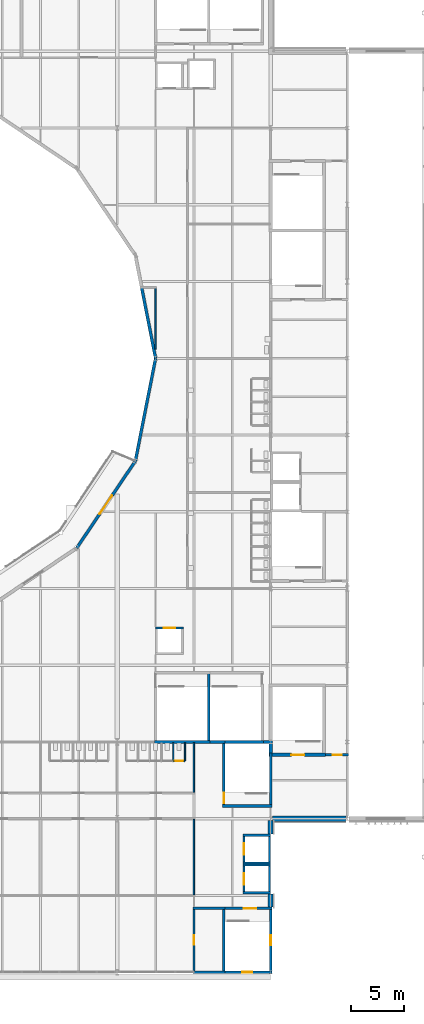
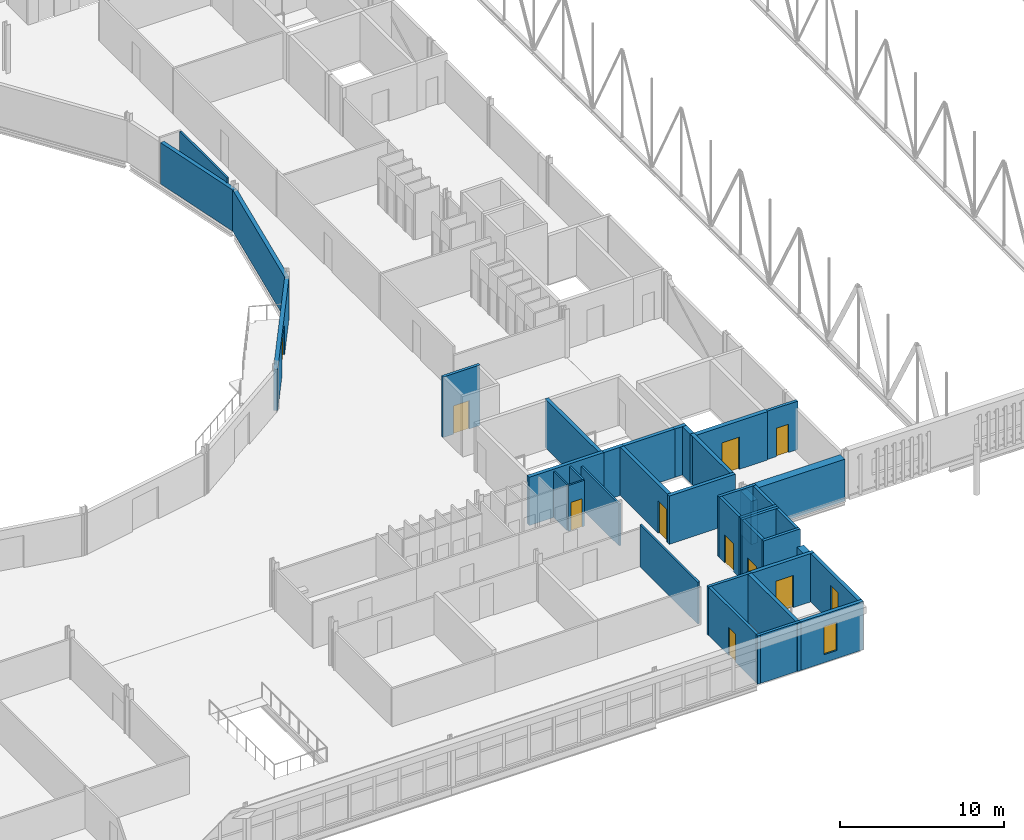
# One storey, part 91 of 142: 39 walls, 10 doors, 2 windows, 12 openings.
"""IFC4 building model written with IfcOpenShell, lengths in metres."""

from ifc_helpers import new_model, si_unit, direction, frame, frame_2d, origin, place, context, subcontext, project, spatial, rectangle, extrude, material, layer, layer_set, type_object, element, fill, save


model = new_model("IFC4")

# Units and contexts
model_context = context("Model", 3, precision=1e-05, world=origin(), true_north=direction((0.0, 1.0)))
body_context = subcontext(model_context, "Body", "Model", "MODEL_VIEW")
ifc_project = project(units=[si_unit("LENGTHUNIT", "METRE"), si_unit("AREAUNIT", "SQUARE_METRE"), si_unit("VOLUMEUNIT", "CUBIC_METRE"), si_unit("PLANEANGLEUNIT", "RADIAN"), si_unit("MASSUNIT", "GRAM", prefix="KILO")], contexts=[model_context])

# Site, building, storey
site_placement = place(None, origin())
site = spatial("IfcSite", under=ifc_project, at=site_placement, CompositionType="ELEMENT")
building_placement = place(site_placement, origin())
building = spatial("IfcBuilding", under=site, at=building_placement, Name="Kupolbacken Congress Centre", CompositionType="ELEMENT")
storey_placement = place(building_placement, frame((0.0, 0.0, 14.39990234375)))
storey = spatial("IfcBuildingStorey", under=building, at=storey_placement, Name="L04", CompositionType="ELEMENT", Elevation=14.39990234375)

# Walls
ifc_material_1 = material(Name="Concrete C40/50", Category="concrete")
ifc_layer_1 = layer(ifc_material_1, 0.1201171875)
ifc_material_2 = material(Name="Mineral wool", Category="insulation")
ifc_layer_2 = layer(ifc_material_2, 0.19189453125)
ifc_material_3 = material(Name="Air cavity", Category="air")
ifc_layer_3 = layer(ifc_material_3, 0.0400390625, ventilated=True)
ifc_material_4 = material(Name="Brick", Category="masonry")
ifc_layer_4 = layer(ifc_material_4, 0.10791015625)
ifc_layer_set_1 = layer_set([ifc_layer_1, ifc_layer_2, ifc_layer_3, ifc_layer_4], Name="Concrete C40/50 / Mineral wool / Brick")
wall_type_1 = type_object("IfcWallType", Name="EW06 external cavity wall 460", PredefinedType="SOLIDWALL", material=ifc_layer_set_1)
wall_1_placement = place(storey_placement, frame((79.199951171875, 34.925048828125, 0.0), z_axis=(0.0, 0.0, 1.0), x_axis=(0.0, 1.0, 0.0)))
element("IfcWall", 1, at=wall_1_placement, inside=storey, type_object=wall_type_1, Name="E/F/E/L04/409", PredefinedType="SOLIDWALL", context=body_context, shape_type="SweptSolid", body=[
    extrude(rectangle(XDim=1.224853515625, YDim=0.4599609375, at=frame_2d((0.6123046875, 0.0))), origin(), (0.0, 0.0, 1.0), 3.22021484375),
])
wall_2_placement = place(storey_placement, frame((79.199951171875, 41.75, 0.0), z_axis=(0.0, 0.0, 1.0), x_axis=(0.0, 1.0, 0.0)))
element("IfcWall", 2, at=wall_2_placement, inside=storey, type_object=wall_type_1, Name="E/F/E/L04/410", PredefinedType="SOLIDWALL", context=body_context, shape_type="SweptSolid", body=[
    extrude(rectangle(XDim=1.300048828125, YDim=0.4599609375, at=frame_2d((0.64990234375, 0.0))), origin(), (0.0, 0.0, 1.0), 3.22021484375),
])
ifc_layer_5 = layer(ifc_material_1, 0.199951171875)
ifc_layer_6 = layer(ifc_material_2, 0.199951171875)
ifc_layer_7 = layer(ifc_material_3, 0.0400390625, ventilated=True)
ifc_material_5 = material(Name="Limestone", Category="masonry")
ifc_layer_8 = layer(ifc_material_5, 0.1201171875)
ifc_layer_set_2 = layer_set([ifc_layer_5, ifc_layer_6, ifc_layer_7, ifc_layer_8], Name="Concrete C40/50 / Mineral wool / Limestone")
wall_type_2 = type_object("IfcWallType", Name="EW09 external cavity wall 560", PredefinedType="SOLIDWALL", material=ifc_layer_set_2)
wall_3_placement = place(storey_placement, frame((79.35009765625, 43.199951171875, 0.0), z_axis=(0.0, 0.0, 1.0), x_axis=(1.0, 0.0, 0.0)))
element("IfcWall", 3, at=wall_3_placement, inside=storey, type_object=wall_type_2, Name="E/LINK/S/L04/441", PredefinedType="SOLIDWALL", context=body_context, shape_type="SweptSolid", body=[
    extrude(rectangle(XDim=6.89990234375, YDim=0.56005859375, at=frame_2d((3.449951171875, 0.0))), origin(), (0.0, 0.0, 1.0), 3.1201171875),
])

# Wall, opening, door
ifc_material_6 = material(Name="Gypsum board", Category="drywall")
ifc_layer_9 = layer(ifc_material_6, 0.114990234375)
ifc_layer_set_3 = layer_set([ifc_layer_9], Name="Gypsum board")
wall_type_3 = type_object("IfcWallType", Name="P04 partition 115", PredefinedType="PARTITIONING", material=ifc_layer_set_3)
wall_4_placement = place(storey_placement, frame((70.050048828125, 48.60009765625, 0.0), z_axis=(0.0, 0.0, 1.0), x_axis=(1.0, 0.0, 0.0)))
wall_4 = element("IfcWall", 4, at=wall_4_placement, inside=storey, type_object=wall_type_3, Name="PD/L04/F-WC-03/cub05/F", PredefinedType="PARTITIONING", context=body_context, shape_type="SweptSolid", body=[
    extrude(rectangle(XDim=1.099853515625, YDim=0.114990234375, at=frame_2d((0.5498046875, 0.0))), origin(), (0.0, 0.0, 1.0), 3.420166015625),
])
opening_1_placement = place(wall_4_placement, frame((0.14990234375, 0.0, 0.0)))
opening_1 = element("IfcOpeningElement", 5, at=opening_1_placement, cuts=wall_4, Name="Opening 4.WF104", PredefinedType="OPENING", context=body_context, shape_type="SweptSolid", body=[
    extrude(rectangle(XDim=0.800048828125, YDim=2.10009765625, at=frame_2d((0.39990234375, 1.050048828125))), frame((0.0, 0.0673828125, 0.0), z_axis=(0.0, -1.0, 0.0), x_axis=(1.0, 0.0, 0.0)), (0.0, 0.0, 1.0), 0.135009765625),
])
ifc_material_7 = material(Name="Timber door leaf", Category="wood")
door_type_1 = type_object("IfcDoorType", Name="D2 door 800x2100", OperationType="SINGLE_SWING_LEFT", PredefinedType="DOOR", material=ifc_material_7)
door_1_placement = place(opening_1_placement, origin())
door_1 = element("IfcDoor", 6, at=door_1_placement, inside=storey, type_object=door_type_1, Name="PD/L04/F-WC-03/cub05/F/DC", OperationType="SINGLE_SWING_LEFT", OverallHeight=2.10009765625, OverallWidth=0.800048828125, PredefinedType="DOOR", context=body_context, shape_type="SweptSolid", body=[
    extrude(rectangle(XDim=0.800048828125, YDim=2.10009765625, at=frame_2d((0.39990234375, 1.050048828125))), frame((0.0, 0.02490234375, 0.0), z_axis=(0.0, -1.0, 0.0), x_axis=(1.0, 0.0, 0.0)), (0.0, 0.0, 1.0), 0.050048828125),
])
fill(opening_1, door_1)

# Walls
for number, where, z_axis, x_axis, name in (
    (7, (70.050048828125, 50.342529296875, 0.0), (0.0, 0.0, 1.0), (0.0, -1.0, 0.0), "PD/L04/F-WC-03/cub05/a"),
    (8, (71.14990234375, 50.342529296875, 0.0), (0.0, 0.0, 1.0), (0.0, -1.0, 0.0), "PD/L04/F-WC-03/cub05/b"),
):
    element("IfcWall", number, at=place(storey_placement, frame(where, z_axis=z_axis, x_axis=x_axis)), inside=storey, type_object=wall_type_3, Name=name, PredefinedType="PARTITIONING", context=body_context, shape_type="SweptSolid", body=[
        extrude(rectangle(XDim=1.68505859375, YDim=0.114990234375, at=frame_2d((0.842529296875, 0.0))), origin(), (0.0, 0.0, 1.0), 3.420166015625),
    ])
ifc_material_8 = material(Name="Gypsum board", Category="drywall")
ifc_layer_10 = layer(ifc_material_8, 0.135009765625)
ifc_layer_set_4 = layer_set([ifc_layer_10], Name="Gypsum board")
wall_type_4 = type_object("IfcWallType", Name="P06 compartment wall 135", PredefinedType="PARTITIONING", material=ifc_layer_set_4)
wall_5_placement = place(storey_placement, frame((72.0, 36.0673828125, 0.0), z_axis=(0.0, 0.0, 1.0), x_axis=(0.0, 1.0, 0.0)))
element("IfcWall", 9, at=wall_5_placement, inside=storey, type_object=wall_type_4, Name="PD/L04/W003", PredefinedType="PARTITIONING", context=body_context, shape_type="SweptSolid", body=[
    extrude(rectangle(XDim=7.065185546875, YDim=0.135009765625, at=frame_2d((3.53271484375, 0.0))), origin(), (0.0, 0.0, 1.0), 3.1201171875),
])
wall_6_placement = place(storey_placement, frame((72.0, 45.66748046875, 0.0), z_axis=(0.0, 0.0, 1.0), x_axis=(0.0, 1.0, 0.0)))
element("IfcWall", 10, at=wall_6_placement, inside=storey, type_object=wall_type_4, Name="PD/L04/W004", PredefinedType="PARTITIONING", context=body_context, shape_type="SweptSolid", body=[
    extrude(rectangle(XDim=4.672607421875, YDim=0.135009765625, at=frame_2d((2.33642578125, 0.0))), origin(), (0.0, 0.0, 1.0), 3.1201171875),
])
wall_7_placement = place(storey_placement, frame((68.39990234375, 87.25, 0.0), z_axis=(0.0, 0.0, 1.0), x_axis=(0.0, 1.0, 0.0)))
element("IfcWall", 11, at=wall_7_placement, inside=storey, type_object=wall_type_4, Name="PD/L04/W075", PredefinedType="PARTITIONING", context=body_context, shape_type="SweptSolid", body=[
    extrude(rectangle(XDim=5.732421875, YDim=0.135009765625, at=frame_2d((2.8662109375, 0.0))), origin(), (0.0, 0.0, 1.0), 3.420166015625),
])

# Wall, opening, door
ifc_material_9 = material(Name="Gypsum board", Category="drywall")
ifc_layer_11 = layer(ifc_material_9, 0.27490234375)
ifc_layer_set_5 = layer_set([ifc_layer_11], Name="Gypsum board")
wall_type_5 = type_object("IfcWallType", Name="P12 partition 275", PredefinedType="PARTITIONING", material=ifc_layer_set_5)
wall_8_placement = place(storey_placement, frame((61.0, 68.60009765625, 0.0), z_axis=(0.0, 0.0, 1.0), x_axis=(0.559390118145, 0.828904515443, 0.0)))
wall_8 = element("IfcWall", 12, at=wall_8_placement, inside=storey, type_object=wall_type_5, Name="PD/L04/W082", PredefinedType="PARTITIONING", context=body_context, shape_type="SweptSolid", body=[
    extrude(rectangle(XDim=9.83203125, YDim=0.27490234375, at=frame_2d((4.916015625, 0.0))), origin(), (0.0, 0.0, 1.0), 3.070068359375),
])
opening_2_placement = place(wall_8_placement, frame((3.85009765625, 0.0, 0.0)))
opening_2 = element("IfcOpeningElement", 13, at=opening_2_placement, cuts=wall_8, Name="Opening 4.P26", PredefinedType="OPENING", context=body_context, shape_type="SweptSolid", body=[
    extrude(rectangle(XDim=2.10009765625, YDim=2.39990234375, at=frame_2d((1.050048828125, 1.199951171875))), frame((0.0, 0.1474609375, 0.0), z_axis=(0.0, -1.0, 0.0), x_axis=(1.0, 0.0, 0.0)), (0.0, 0.0, 1.0), 0.294921875),
])
ifc_material_10 = material(Name="Steel fire door leaf", Category="steel")
door_type_2 = type_object("IfcDoorType", Name="D17 fire door 2100x2400", OperationType="DOUBLE_DOOR_SINGLE_SWING", PredefinedType="DOOR", material=ifc_material_10)
door_2_placement = place(opening_2_placement, frame((2.10009765625, 0.0, 0.0), z_axis=(0.0, 0.0, 1.0), x_axis=(-1.0, 0.0, 0.0)))
door_2 = element("IfcDoor", 14, at=door_2_placement, inside=storey, type_object=door_type_2, Name="PD/L04/W082/D4P26", OperationType="DOUBLE_DOOR_SINGLE_SWING", OverallHeight=2.39990234375, OverallWidth=2.10009765625, PredefinedType="DOOR", context=body_context, shape_type="SweptSolid", body=[
    extrude(rectangle(XDim=2.10009765625, YDim=2.39990234375, at=frame_2d((1.050048828125, 1.199951171875))), frame((0.0, 0.02490234375, 0.0), z_axis=(0.0, -1.0, 0.0), x_axis=(1.0, 0.0, 0.0)), (0.0, 0.0, 1.0), 0.050048828125),
])
fill(opening_2, door_2)

# Walls
wall_9_placement = place(storey_placement, frame((66.5, 76.75, 0.0), z_axis=(0.0, 0.0, 1.0), x_axis=(0.193174651092, 0.981164386928, 0.0)))
element("IfcWall", 15, at=wall_9_placement, inside=storey, type_object=wall_type_5, Name="PD/L04/W083", PredefinedType="PARTITIONING", context=body_context, shape_type="SweptSolid", body=[
    extrude(rectangle(XDim=9.835205078125, YDim=0.27490234375, at=frame_2d((4.91748046875, 0.0))), origin(), (0.0, 0.0, 1.0), 3.070068359375),
])
wall_10_placement = place(storey_placement, frame((68.39990234375, 86.39990234375, 0.0), z_axis=(0.0, 0.0, 1.0), x_axis=(-0.193155650747, 0.981168127583, 0.0)))
element("IfcWall", 16, at=wall_10_placement, inside=storey, type_object=wall_type_5, Name="PD/L04/W098", PredefinedType="PARTITIONING", context=body_context, shape_type="SweptSolid", body=[
    extrude(rectangle(XDim=6.71044921875, YDim=0.27490234375, at=frame_2d((3.355224609375, 0.0))), origin(), (0.0, 0.0, 1.0), 3.070068359375),
])
ifc_material_11 = material(Name="Concrete C40/50", Category="concrete")
ifc_layer_12 = layer(ifc_material_11, 0.199951171875)
ifc_layer_set_6 = layer_set([ifc_layer_12], Name="Concrete C40/50")
wall_type_6 = type_object("IfcWallType", Name="WC1 RC shaft wall 200", PredefinedType="SHEAR", material=ifc_layer_set_6)
wall_11_placement = place(storey_placement, frame((71.89990234375, 28.800048828125, 0.0), z_axis=(0.0, 0.0, 1.0), x_axis=(1.0, 0.0, 0.0)))
element("IfcWall", 17, at=wall_11_placement, inside=storey, type_object=wall_type_6, Name="Shaft wall L04-004", PredefinedType="SHEAR", context=body_context, shape_type="SweptSolid", body=[
    extrude(rectangle(XDim=3.025146484375, YDim=0.199951171875, at=frame_2d((1.5126953125, 0.0))), origin(), (0.0, 0.0, 1.0), 3.60009765625),
])

# Wall, opening, door
wall_12_placement = place(storey_placement, frame((72.0, 34.89990234375, 0.0), z_axis=(0.0, 0.0, 1.0), x_axis=(0.0, -1.0, 0.0)))
wall_12 = element("IfcWall", 18, at=wall_12_placement, inside=storey, type_object=wall_type_6, Name="Shaft wall L04-010", PredefinedType="SHEAR", context=body_context, shape_type="SweptSolid", body=[
    extrude(rectangle(XDim=6.199951171875, YDim=0.199951171875, at=frame_2d((3.10009765625, 0.0))), origin(), (0.0, 0.0, 1.0), 3.60009765625),
])
opening_3_placement = place(wall_12_placement, frame((2.64990234375, 0.0, 0.0)))
opening_3 = element("IfcOpeningElement", 19, at=opening_3_placement, cuts=wall_12, Name="Opening 4.F06", PredefinedType="OPENING", context=body_context, shape_type="SweptSolid", body=[
    extrude(rectangle(XDim=0.85009765625, YDim=2.10009765625, at=frame_2d((0.425048828125, 1.050048828125))), frame((0.0, 0.10986328125, 0.0), z_axis=(0.0, -1.0, 0.0), x_axis=(1.0, 0.0, 0.0)), (0.0, 0.0, 1.0), 0.219970703125),
])
ifc_material_12 = material(Name="Steel fire door leaf", Category="steel")
door_type_3 = type_object("IfcDoorType", Name="D3 fire door 850x2100", OperationType="SINGLE_SWING_LEFT", PredefinedType="DOOR", material=ifc_material_12)
door_3_placement = place(opening_3_placement, origin())
door_3 = element("IfcDoor", 20, at=door_3_placement, inside=storey, type_object=door_type_3, Name="S/core/L04/010/D4F06", OperationType="SINGLE_SWING_RIGHT", OverallHeight=2.10009765625, OverallWidth=0.85009765625, PredefinedType="DOOR", context=body_context, shape_type="SweptSolid", body=[
    extrude(rectangle(XDim=0.85009765625, YDim=2.10009765625, at=frame_2d((0.425048828125, 1.050048828125))), frame((0.0, 0.02490234375, 0.0), z_axis=(0.0, -1.0, 0.0), x_axis=(1.0, 0.0, 0.0)), (0.0, 0.0, 1.0), 0.050048828125),
])
fill(opening_3, door_3)

# Wall
wall_13_placement = place(storey_placement, frame((74.925048828125, 34.800048828125, 0.0), z_axis=(0.0, 0.0, 1.0), x_axis=(-1.0, 0.0, 0.0)))
element("IfcWall", 21, at=wall_13_placement, inside=storey, type_object=wall_type_6, Name="Shaft wall L04-012", PredefinedType="SHEAR", context=body_context, shape_type="SweptSolid", body=[
    extrude(rectangle(XDim=3.025146484375, YDim=0.199951171875, at=frame_2d((1.5126953125, 0.0))), origin(), (0.0, 0.0, 1.0), 3.60009765625),
])

# Wall, opening, door
wall_14_placement = place(storey_placement, frame((84.35009765625, 49.199951171875, 0.0), z_axis=(0.0, 0.0, 1.0), x_axis=(1.0, 0.0, 0.0)))
wall_14 = element("IfcWall", 22, at=wall_14_placement, inside=storey, type_object=wall_type_6, Name="Shaft wall L04-020", PredefinedType="SHEAR", context=body_context, shape_type="SweptSolid", body=[
    extrude(rectangle(XDim=2.14990234375, YDim=0.199951171875, at=frame_2d((1.074951171875, 0.0))), origin(), (0.0, 0.0, 1.0), 3.60009765625),
])
opening_4_placement = place(wall_14_placement, frame((0.64990234375, 0.0, 0.0)))
opening_4 = element("IfcOpeningElement", 23, at=opening_4_placement, cuts=wall_14, Name="Opening 4.L05", PredefinedType="OPENING", context=body_context, shape_type="SweptSolid", body=[
    extrude(rectangle(XDim=0.85009765625, YDim=2.10009765625, at=frame_2d((0.425048828125, 1.050048828125))), frame((0.0, 0.10986328125, 0.0), z_axis=(0.0, -1.0, 0.0), x_axis=(1.0, 0.0, 0.0)), (0.0, 0.0, 1.0), 0.219970703125),
])
door_4_placement = place(opening_4_placement, origin())
door_4 = element("IfcDoor", 24, at=door_4_placement, inside=storey, type_object=door_type_3, Name="S/core/L04/020/D4L05", OperationType="SINGLE_SWING_LEFT", OverallHeight=2.10009765625, OverallWidth=0.85009765625, PredefinedType="DOOR", context=body_context, shape_type="SweptSolid", body=[
    extrude(rectangle(XDim=0.85009765625, YDim=2.10009765625, at=frame_2d((0.425048828125, 1.050048828125))), frame((0.0, 0.02490234375, 0.0), z_axis=(0.0, -1.0, 0.0), x_axis=(1.0, 0.0, 0.0)), (0.0, 0.0, 1.0), 0.050048828125),
])
fill(opening_4, door_4)

# Walls
for number, where, z_axis, x_axis, name in (
    (25, (76.60009765625, 36.25, 0.0), (0.0, 0.0, 1.0), (1.0, 0.0, 0.0), "Shaft wall LP3"),
    (26, (76.60009765625, 38.85009765625, 0.0), (0.0, 0.0, 1.0), (1.0, 0.0, 0.0), "Shaft wall LP3"),
):
    element("IfcWall", number, at=place(storey_placement, frame(where, z_axis=z_axis, x_axis=x_axis)), inside=storey, type_object=wall_type_6, Name=name, PredefinedType="SHEAR", context=body_context, shape_type="SweptSolid", body=[
        extrude(rectangle(XDim=2.599853515625, YDim=0.199951171875, at=frame_2d((1.2998046875, 0.0))), origin(), (0.0, 0.0, 1.0), 4.5),
    ])

# Wall, opening, door
wall_15_placement = place(storey_placement, frame((76.699951171875, 36.35009765625, 0.0), z_axis=(0.0, 0.0, 1.0), x_axis=(0.0, 1.0, 0.0)))
wall_15 = element("IfcWall", 27, at=wall_15_placement, inside=storey, type_object=wall_type_6, Name="Shaft wall LP3", PredefinedType="SHEAR", context=body_context, shape_type="SweptSolid", body=[
    extrude(rectangle(XDim=2.39990234375, YDim=0.199951171875, at=frame_2d((1.199951171875, 0.0))), origin(), (0.0, 0.0, 1.0), 4.5),
])
opening_5_placement = place(wall_15_placement, frame((0.64990234375, 0.0, 0.0)))
opening_5 = element("IfcOpeningElement", 28, at=opening_5_placement, cuts=wall_15, Name="Opening LD2", PredefinedType="OPENING", context=body_context, shape_type="SweptSolid", body=[
    extrude(rectangle(XDim=1.10009765625, YDim=2.10009765625, at=frame_2d((0.550048828125, 1.050048828125))), frame((0.0, 0.10986328125, 0.0), z_axis=(0.0, -1.0, 0.0), x_axis=(1.0, 0.0, 0.0)), (0.0, 0.0, 1.0), 0.219970703125),
])
ifc_material_13 = material(Name="Stainless steel door leaf", Category="steel")
door_type_4 = type_object("IfcDoorType", Name="LD2 lift landing door 1100x2100", OperationType="SLIDING_TO_LEFT", PredefinedType="DOOR", material=ifc_material_13)
door_5_placement = place(opening_5_placement, origin())
door_5 = element("IfcDoor", 29, at=door_5_placement, inside=storey, type_object=door_type_4, Name="Lift landing door LP3", OperationType="SLIDING_TO_LEFT", OverallHeight=2.10009765625, OverallWidth=1.10009765625, PredefinedType="DOOR", context=body_context, shape_type="SweptSolid", body=[
    extrude(rectangle(XDim=1.10009765625, YDim=2.10009765625, at=frame_2d((0.550048828125, 1.050048828125))), frame((0.0, 0.02490234375, 0.0), z_axis=(0.0, -1.0, 0.0), x_axis=(1.0, 0.0, 0.0)), (0.0, 0.0, 1.0), 0.050048828125),
])
fill(opening_5, door_5)

# Walls
wall_16_placement = place(storey_placement, frame((79.10009765625, 36.35009765625, 0.0), z_axis=(0.0, 0.0, 1.0), x_axis=(0.0, 1.0, 0.0)))
element("IfcWall", 30, at=wall_16_placement, inside=storey, type_object=wall_type_6, Name="Shaft wall LP3", PredefinedType="SHEAR", context=body_context, shape_type="SweptSolid", body=[
    extrude(rectangle(XDim=2.39990234375, YDim=0.199951171875, at=frame_2d((1.199951171875, 0.0))), origin(), (0.0, 0.0, 1.0), 4.5),
])
for number, where, z_axis, x_axis, name in (
    (31, (76.60009765625, 39.050048828125, 0.0), (0.0, 0.0, 1.0), (1.0, 0.0, 0.0), "Shaft wall LP4"),
    (32, (76.60009765625, 41.64990234375, 0.0), (0.0, 0.0, 1.0), (1.0, 0.0, 0.0), "Shaft wall LP4"),
):
    element("IfcWall", number, at=place(storey_placement, frame(where, z_axis=z_axis, x_axis=x_axis)), inside=storey, type_object=wall_type_6, Name=name, PredefinedType="SHEAR", context=body_context, shape_type="SweptSolid", body=[
        extrude(rectangle(XDim=2.599853515625, YDim=0.199951171875, at=frame_2d((1.2998046875, 0.0))), origin(), (0.0, 0.0, 1.0), 4.5),
    ])

# Wall, opening, door
wall_17_placement = place(storey_placement, frame((76.699951171875, 39.14990234375, 0.0), z_axis=(0.0, 0.0, 1.0), x_axis=(0.0, 1.0, 0.0)))
wall_17 = element("IfcWall", 33, at=wall_17_placement, inside=storey, type_object=wall_type_6, Name="Shaft wall LP4", PredefinedType="SHEAR", context=body_context, shape_type="SweptSolid", body=[
    extrude(rectangle(XDim=2.400146484375, YDim=0.199951171875, at=frame_2d((1.2001953125, 0.0))), origin(), (0.0, 0.0, 1.0), 4.5),
])
opening_6_placement = place(wall_17_placement, frame((0.64990234375, 0.0, 0.0)))
opening_6 = element("IfcOpeningElement", 34, at=opening_6_placement, cuts=wall_17, Name="Opening LD2", PredefinedType="OPENING", context=body_context, shape_type="SweptSolid", body=[
    extrude(rectangle(XDim=1.10009765625, YDim=2.10009765625, at=frame_2d((0.550048828125, 1.050048828125))), frame((0.0, 0.10986328125, 0.0), z_axis=(0.0, -1.0, 0.0), x_axis=(1.0, 0.0, 0.0)), (0.0, 0.0, 1.0), 0.219970703125),
])
door_6_placement = place(opening_6_placement, origin())
door_6 = element("IfcDoor", 35, at=door_6_placement, inside=storey, type_object=door_type_4, Name="Lift landing door LP4", OperationType="SLIDING_TO_LEFT", OverallHeight=2.10009765625, OverallWidth=1.10009765625, PredefinedType="DOOR", context=body_context, shape_type="SweptSolid", body=[
    extrude(rectangle(XDim=1.10009765625, YDim=2.10009765625, at=frame_2d((0.550048828125, 1.050048828125))), frame((0.0, 0.02490234375, 0.0), z_axis=(0.0, -1.0, 0.0), x_axis=(1.0, 0.0, 0.0)), (0.0, 0.0, 1.0), 0.050048828125),
])
fill(opening_6, door_6)

# Wall
wall_18_placement = place(storey_placement, frame((79.10009765625, 39.14990234375, 0.0), z_axis=(0.0, 0.0, 1.0), x_axis=(0.0, 1.0, 0.0)))
element("IfcWall", 36, at=wall_18_placement, inside=storey, type_object=wall_type_6, Name="Shaft wall LP4", PredefinedType="SHEAR", context=body_context, shape_type="SweptSolid", body=[
    extrude(rectangle(XDim=2.400146484375, YDim=0.199951171875, at=frame_2d((1.2001953125, 0.0))), origin(), (0.0, 0.0, 1.0), 4.5),
])

# Wall, opening, door
wall_19_placement = place(storey_placement, frame((68.39990234375, 61.10009765625, 0.0), z_axis=(0.0, 0.0, 1.0), x_axis=(1.0, 0.0, 0.0)))
wall_19 = element("IfcWall", 37, at=wall_19_placement, inside=storey, type_object=wall_type_6, Name="Shaft wall LP6", PredefinedType="SHEAR", context=body_context, shape_type="SweptSolid", body=[
    extrude(rectangle(XDim=2.60009765625, YDim=0.199951171875, at=frame_2d((1.300048828125, 0.0))), origin(), (0.0, 0.0, 1.0), 4.5),
])
opening_7_placement = place(wall_19_placement, frame((0.75, 0.0, 0.0)))
opening_7 = element("IfcOpeningElement", 38, at=opening_7_placement, cuts=wall_19, Name="Opening LD2", PredefinedType="OPENING", context=body_context, shape_type="SweptSolid", body=[
    extrude(rectangle(XDim=1.10009765625, YDim=2.10009765625, at=frame_2d((0.550048828125, 1.050048828125))), frame((0.0, 0.10986328125, 0.0), z_axis=(0.0, -1.0, 0.0), x_axis=(1.0, 0.0, 0.0)), (0.0, 0.0, 1.0), 0.219970703125),
])
door_7_placement = place(opening_7_placement, origin())
door_7 = element("IfcDoor", 39, at=door_7_placement, inside=storey, type_object=door_type_4, Name="Lift landing door LP6", OperationType="SLIDING_TO_LEFT", OverallHeight=2.10009765625, OverallWidth=1.10009765625, PredefinedType="DOOR", context=body_context, shape_type="SweptSolid", body=[
    extrude(rectangle(XDim=1.10009765625, YDim=2.10009765625, at=frame_2d((0.550048828125, 1.050048828125))), frame((0.0, 0.02490234375, 0.0), z_axis=(0.0, -1.0, 0.0), x_axis=(1.0, 0.0, 0.0)), (0.0, 0.0, 1.0), 0.050048828125),
])
fill(opening_7, door_7)

# Wall, opening, window
ifc_material_14 = material(Name="Concrete C40/50", Category="concrete")
ifc_layer_13 = layer(ifc_material_14, 0.25)
ifc_layer_set_7 = layer_set([ifc_layer_13], Name="Concrete C40/50")
wall_type_7 = type_object("IfcWallType", Name="WC2 RC stair enclosure wall 250", PredefinedType="SHEAR", material=ifc_layer_set_7)
wall_20_placement = place(storey_placement, frame((74.925048828125, 28.800048828125, 0.0), z_axis=(0.0, 0.0, 1.0), x_axis=(1.0, 0.0, 0.0)))
wall_20 = element("IfcWall", 40, at=wall_20_placement, inside=storey, type_object=wall_type_7, Name="Stair enclosure wall L04-005", PredefinedType="SHEAR", context=body_context, shape_type="SweptSolid", body=[
    extrude(rectangle(XDim=4.39990234375, YDim=0.25, at=frame_2d((2.199951171875, 0.0))), origin(), (0.0, 0.0, 1.0), 3.60009765625),
])
opening_8_placement = place(wall_20_placement, frame((1.625, 0.0, 0.60009765625)))
opening_8 = element("IfcOpeningElement", 41, at=opening_8_placement, cuts=wall_20, Name="Opening W28", PredefinedType="OPENING", context=body_context, shape_type="SweptSolid", body=[
    extrude(rectangle(XDim=0.89990234375, YDim=2.10009765625, at=frame_2d((0.449951171875, 1.050048828125))), frame((0.0, 0.135009765625, 0.0), z_axis=(0.0, -1.0, 0.0), x_axis=(1.0, 0.0, 0.0)), (0.0, 0.0, 1.0), 0.27001953125),
])
ifc_material_15 = material(Name="Aluminium frame with double or triple glazing", Category="aluminium")
window_type = type_object("IfcWindowType", Name="W28 window 900x2100", PartitioningType="SINGLE_PANEL", PredefinedType="WINDOW", material=ifc_material_15)
window_1_placement = place(opening_8_placement, origin())
window_1 = element("IfcWindow", 42, at=window_1_placement, inside=storey, type_object=window_type, Name="S/core/L04/005/W1/L04", OverallHeight=2.10009765625, OverallWidth=0.89990234375, PartitioningType="SINGLE_PANEL", PredefinedType="WINDOW", context=body_context, shape_type="SweptSolid", body=[
    extrude(rectangle(XDim=0.89990234375, YDim=2.10009765625, at=frame_2d((0.449951171875, 1.050048828125))), frame((0.0, 0.030029296875, 0.0), z_axis=(0.0, -1.0, 0.0), x_axis=(1.0, 0.0, 0.0)), (0.0, 0.0, 1.0), 0.06005859375),
])
fill(opening_8, window_1)

wall_21_placement = place(storey_placement, frame((79.199951171875, 28.675048828125, 0.0), z_axis=(0.0, 0.0, 1.0), x_axis=(0.0, 1.0, 0.0)))
wall_21 = element("IfcWall", 43, at=wall_21_placement, inside=storey, type_object=wall_type_7, Name="Stair enclosure wall L04-006", PredefinedType="SHEAR", context=body_context, shape_type="SweptSolid", body=[
    extrude(rectangle(XDim=6.25, YDim=0.25, at=frame_2d((3.125, 0.0))), origin(), (0.0, 0.0, 1.0), 3.60009765625),
])
opening_9_placement = place(wall_21_placement, frame((2.675048828125, 0.0, 0.60009765625)))
opening_9 = element("IfcOpeningElement", 44, at=opening_9_placement, cuts=wall_21, Name="Opening W28", PredefinedType="OPENING", context=body_context, shape_type="SweptSolid", body=[
    extrude(rectangle(XDim=0.89990234375, YDim=2.10009765625, at=frame_2d((0.449951171875, 1.050048828125))), frame((0.0, 0.135009765625, 0.0), z_axis=(0.0, -1.0, 0.0), x_axis=(1.0, 0.0, 0.0)), (0.0, 0.0, 1.0), 0.27001953125),
])
window_2_placement = place(opening_9_placement, origin())
window_2 = element("IfcWindow", 45, at=window_2_placement, inside=storey, type_object=window_type, Name="S/core/L04/006/W1/L04", OverallHeight=2.10009765625, OverallWidth=0.89990234375, PartitioningType="SINGLE_PANEL", PredefinedType="WINDOW", context=body_context, shape_type="SweptSolid", body=[
    extrude(rectangle(XDim=0.89990234375, YDim=2.10009765625, at=frame_2d((0.449951171875, 1.050048828125))), frame((0.0, 0.030029296875, 0.0), z_axis=(0.0, -1.0, 0.0), x_axis=(1.0, 0.0, 0.0)), (0.0, 0.0, 1.0), 0.06005859375),
])
fill(opening_9, window_2)

# Wall
wall_22_placement = place(storey_placement, frame((74.800048828125, 34.925048828125, 0.0), z_axis=(0.0, 0.0, 1.0), x_axis=(0.0, -1.0, 0.0)))
element("IfcWall", 46, at=wall_22_placement, inside=storey, type_object=wall_type_7, Name="Stair enclosure wall L04-011", PredefinedType="SHEAR", context=body_context, shape_type="SweptSolid", body=[
    extrude(rectangle(XDim=6.25, YDim=0.25, at=frame_2d((3.125, 0.0))), origin(), (0.0, 0.0, 1.0), 3.60009765625),
])

# Wall, opening, door
wall_23_placement = place(storey_placement, frame((79.324951171875, 34.800048828125, 0.0), z_axis=(0.0, 0.0, 1.0), x_axis=(-1.0, 0.0, 0.0)))
wall_23 = element("IfcWall", 47, at=wall_23_placement, inside=storey, type_object=wall_type_7, Name="Stair enclosure wall L04-013", PredefinedType="SHEAR", context=body_context, shape_type="SweptSolid", body=[
    extrude(rectangle(XDim=4.39990234375, YDim=0.25, at=frame_2d((2.199951171875, 0.0))), origin(), (0.0, 0.0, 1.0), 3.60009765625),
])
opening_10_placement = place(wall_23_placement, frame((1.47509765625, 0.0, 0.0)))
opening_10 = element("IfcOpeningElement", 48, at=opening_10_placement, cuts=wall_23, Name="Opening 4.F04", PredefinedType="OPENING", context=body_context, shape_type="SweptSolid", body=[
    extrude(rectangle(XDim=1.199951171875, YDim=2.39990234375, at=frame_2d((0.60009765625, 1.199951171875))), frame((0.0, 0.135009765625, 0.0), z_axis=(0.0, -1.0, 0.0), x_axis=(1.0, 0.0, 0.0)), (0.0, 0.0, 1.0), 0.27001953125),
])
ifc_material_16 = material(Name="Steel fire door leaf", Category="steel")
door_type_5 = type_object("IfcDoorType", Name="D9 fire door 1200x2400", OperationType="SINGLE_SWING_LEFT", PredefinedType="DOOR", material=ifc_material_16)
door_8_placement = place(opening_10_placement, origin())
door_8 = element("IfcDoor", 49, at=door_8_placement, inside=storey, type_object=door_type_5, Name="S/core/L04/013/D4F04", OperationType="SINGLE_SWING_RIGHT", OverallHeight=2.39990234375, OverallWidth=1.199951171875, PredefinedType="DOOR", context=body_context, shape_type="SweptSolid", body=[
    extrude(rectangle(XDim=1.199951171875, YDim=2.39990234375, at=frame_2d((0.60009765625, 1.199951171875))), frame((0.0, 0.02490234375, 0.0), z_axis=(0.0, -1.0, 0.0), x_axis=(1.0, 0.0, 0.0)), (0.0, 0.0, 1.0), 0.050048828125),
])
fill(opening_10, door_8)

# Walls
wall_24_placement = place(storey_placement, frame((74.675048828125, 44.39990234375, 0.0), z_axis=(0.0, 0.0, 1.0), x_axis=(1.0, 0.0, 0.0)))
element("IfcWall", 50, at=wall_24_placement, inside=storey, type_object=wall_type_7, Name="Stair enclosure wall L04-016", PredefinedType="SHEAR", context=body_context, shape_type="SweptSolid", body=[
    extrude(rectangle(XDim=4.64990234375, YDim=0.25, at=frame_2d((2.324951171875, 0.0))), origin(), (0.0, 0.0, 1.0), 3.60009765625),
])
wall_25_placement = place(storey_placement, frame((79.199951171875, 44.27490234375, 0.0), z_axis=(0.0, 0.0, 1.0), x_axis=(0.0, 1.0, 0.0)))
element("IfcWall", 51, at=wall_25_placement, inside=storey, type_object=wall_type_7, Name="Stair enclosure wall L04-017", PredefinedType="SHEAR", context=body_context, shape_type="SweptSolid", body=[
    extrude(rectangle(XDim=5.0751953125, YDim=0.25, at=frame_2d((2.53759765625, 0.0))), origin(), (0.0, 0.0, 1.0), 3.60009765625),
])
wall_26_placement = place(storey_placement, frame((68.27490234375, 50.39990234375, 0.0), z_axis=(0.0, 0.0, 1.0), x_axis=(1.0, 0.0, 0.0)))
element("IfcWall", 52, at=wall_26_placement, inside=storey, type_object=wall_type_7, Name="Stair enclosure wall L04-027", PredefinedType="SHEAR", context=body_context, shape_type="SweptSolid", body=[
    extrude(rectangle(XDim=5.25, YDim=0.25, at=frame_2d((2.625, 0.0))), origin(), (0.0, 0.0, 1.0), 3.60009765625),
])
wall_27_placement = place(storey_placement, frame((73.52490234375, 50.39990234375, 0.0), z_axis=(0.0, 0.0, 1.0), x_axis=(1.0, 0.0, 0.0)))
element("IfcWall", 53, at=wall_27_placement, inside=storey, type_object=wall_type_7, Name="Stair enclosure wall L04-028", PredefinedType="SHEAR", context=body_context, shape_type="SweptSolid", body=[
    extrude(rectangle(XDim=1.400146484375, YDim=0.25, at=frame_2d((0.7001953125, 0.0))), origin(), (0.0, 0.0, 1.0), 3.60009765625),
])
wall_28_placement = place(storey_placement, frame((73.39990234375, 50.27490234375, 0.0), z_axis=(0.0, 0.0, 1.0), x_axis=(0.0, 1.0, 0.0)))
element("IfcWall", 54, at=wall_28_placement, inside=storey, type_object=wall_type_7, Name="Stair enclosure wall L04-029", PredefinedType="SHEAR", context=body_context, shape_type="SweptSolid", body=[
    extrude(rectangle(XDim=6.75, YDim=0.25, at=frame_2d((3.375, 0.0))), origin(), (0.0, 0.0, 1.0), 3.60009765625),
])

# Wall, opening, door
wall_29_placement = place(storey_placement, frame((74.800048828125, 50.52490234375, 0.0), z_axis=(0.0, 0.0, 1.0), x_axis=(0.0, -1.0, 0.0)))
wall_29 = element("IfcWall", 55, at=wall_29_placement, inside=storey, type_object=wall_type_7, Name="Stair enclosure wall L04-030", PredefinedType="SHEAR", context=body_context, shape_type="SweptSolid", body=[
    extrude(rectangle(XDim=6.25, YDim=0.25, at=frame_2d((3.125, 0.0))), origin(), (0.0, 0.0, 1.0), 3.60009765625),
])
opening_11_placement = place(wall_29_placement, frame((4.875, 0.0, 0.0)))
opening_11 = element("IfcOpeningElement", 56, at=opening_11_placement, cuts=wall_29, Name="Opening 4.F05", PredefinedType="OPENING", context=body_context, shape_type="SweptSolid", body=[
    extrude(rectangle(XDim=1.0, YDim=2.39990234375, at=frame_2d((0.5, 1.199951171875))), frame((0.0, 0.135009765625, 0.0), z_axis=(0.0, -1.0, 0.0), x_axis=(1.0, 0.0, 0.0)), (0.0, 0.0, 1.0), 0.27001953125),
])
ifc_material_17 = material(Name="Steel fire door leaf", Category="steel")
door_type_6 = type_object("IfcDoorType", Name="D8 fire door 1000x2400", OperationType="SINGLE_SWING_LEFT", PredefinedType="DOOR", material=ifc_material_17)
door_9_placement = place(opening_11_placement, origin())
door_9 = element("IfcDoor", 57, at=door_9_placement, inside=storey, type_object=door_type_6, Name="S/core/L04/030/D4F05", OperationType="SINGLE_SWING_LEFT", OverallHeight=2.39990234375, OverallWidth=1.0, PredefinedType="DOOR", context=body_context, shape_type="SweptSolid", body=[
    extrude(rectangle(XDim=1.0, YDim=2.39990234375, at=frame_2d((0.5, 1.199951171875))), frame((0.0, 0.02490234375, 0.0), z_axis=(0.0, -1.0, 0.0), x_axis=(1.0, 0.0, 0.0)), (0.0, 0.0, 1.0), 0.050048828125),
])
fill(opening_11, door_9)

# Walls
wall_30_placement = place(storey_placement, frame((78.52490234375, 50.39990234375, 0.0), z_axis=(0.0, 0.0, 1.0), x_axis=(-1.0, 0.0, 0.0)))
element("IfcWall", 58, at=wall_30_placement, inside=storey, type_object=wall_type_7, Name="Stair enclosure wall L04-031", PredefinedType="SHEAR", context=body_context, shape_type="SweptSolid", body=[
    extrude(rectangle(XDim=3.599853515625, YDim=0.25, at=frame_2d((1.7998046875, 0.0))), origin(), (0.0, 0.0, 1.0), 3.60009765625),
])
wall_31_placement = place(storey_placement, frame((79.35009765625, 50.39990234375, 0.0), z_axis=(0.0, 0.0, 1.0), x_axis=(-1.0, 0.0, 0.0)))
element("IfcWall", 59, at=wall_31_placement, inside=storey, type_object=wall_type_7, Name="Stair enclosure wall L04-033", PredefinedType="SHEAR", context=body_context, shape_type="SweptSolid", body=[
    extrude(rectangle(XDim=0.8251953125, YDim=0.25, at=frame_2d((0.41259765625, 0.0))), origin(), (0.0, 0.0, 1.0), 3.60009765625),
])

# Wall, opening, door
ifc_material_18 = material(Name="Concrete C40/50", Category="concrete")
ifc_layer_14 = layer(ifc_material_18, 0.300048828125)
ifc_layer_set_8 = layer_set([ifc_layer_14], Name="Concrete C40/50")
wall_type_8 = type_object("IfcWallType", Name="WC3 RC core wall 300", PredefinedType="SHEAR", material=ifc_layer_set_8)
wall_32_placement = place(storey_placement, frame((79.050048828125, 49.199951171875, 0.0), z_axis=(0.0, 0.0, 1.0), x_axis=(1.0, 0.0, 0.0)))
wall_32 = element("IfcWall", 60, at=wall_32_placement, inside=storey, type_object=wall_type_8, Name="Core wall L04-018", PredefinedType="SHEAR", context=body_context, shape_type="SweptSolid", body=[
    extrude(rectangle(XDim=5.300048828125, YDim=0.300048828125, at=frame_2d((2.64990234375, 0.0))), origin(), (0.0, 0.0, 1.0), 3.60009765625),
])
opening_12_placement = place(wall_32_placement, frame((2.10009765625, 0.0, 0.0)))
opening_12 = element("IfcOpeningElement", 61, at=opening_12_placement, cuts=wall_32, Name="Opening 4.L01", PredefinedType="OPENING", context=body_context, shape_type="SweptSolid", body=[
    extrude(rectangle(XDim=1.199951171875, YDim=2.39990234375, at=frame_2d((0.60009765625, 1.199951171875))), frame((0.0, 0.159912109375, 0.0), z_axis=(0.0, -1.0, 0.0), x_axis=(1.0, 0.0, 0.0)), (0.0, 0.0, 1.0), 0.320068359375),
])
door_10_placement = place(opening_12_placement, origin())
door_10 = element("IfcDoor", 62, at=door_10_placement, inside=storey, type_object=door_type_5, Name="S/core/L04/018/D4L01", OperationType="SINGLE_SWING_LEFT", OverallHeight=2.39990234375, OverallWidth=1.199951171875, PredefinedType="DOOR", context=body_context, shape_type="SweptSolid", body=[
    extrude(rectangle(XDim=1.199951171875, YDim=2.39990234375, at=frame_2d((0.60009765625, 1.199951171875))), frame((0.0, 0.02490234375, 0.0), z_axis=(0.0, -1.0, 0.0), x_axis=(1.0, 0.0, 0.0)), (0.0, 0.0, 1.0), 0.050048828125),
])
fill(opening_12, door_10)

# Wall
wall_33_placement = place(storey_placement, frame((79.199951171875, 49.35009765625, 0.0), z_axis=(0.0, 0.0, 1.0), x_axis=(0.0, 1.0, 0.0)))
element("IfcWall", 63, at=wall_33_placement, inside=storey, type_object=wall_type_8, Name="Core wall L04-019", PredefinedType="SHEAR", context=body_context, shape_type="SweptSolid", body=[
    extrude(rectangle(XDim=1.1748046875, YDim=0.300048828125, at=frame_2d((0.58740234375, 0.0))), origin(), (0.0, 0.0, 1.0), 3.60009765625),
])

save(model, "model.ifc")
